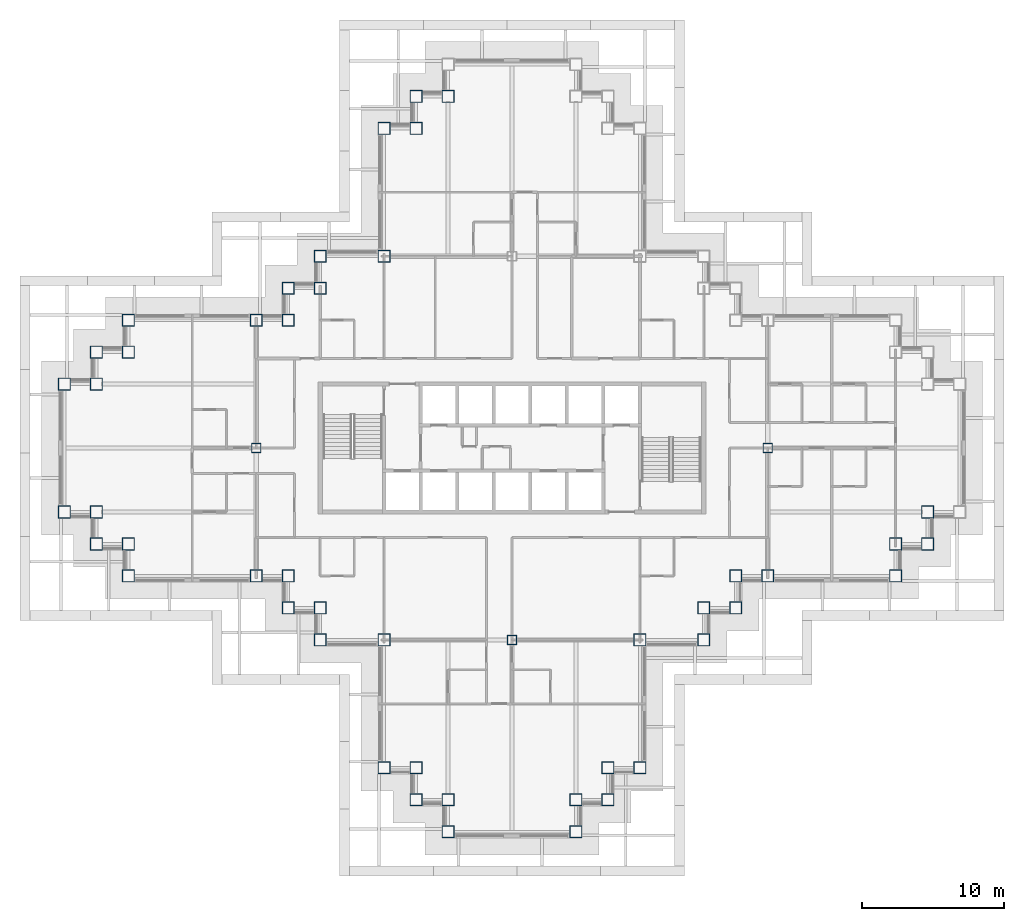
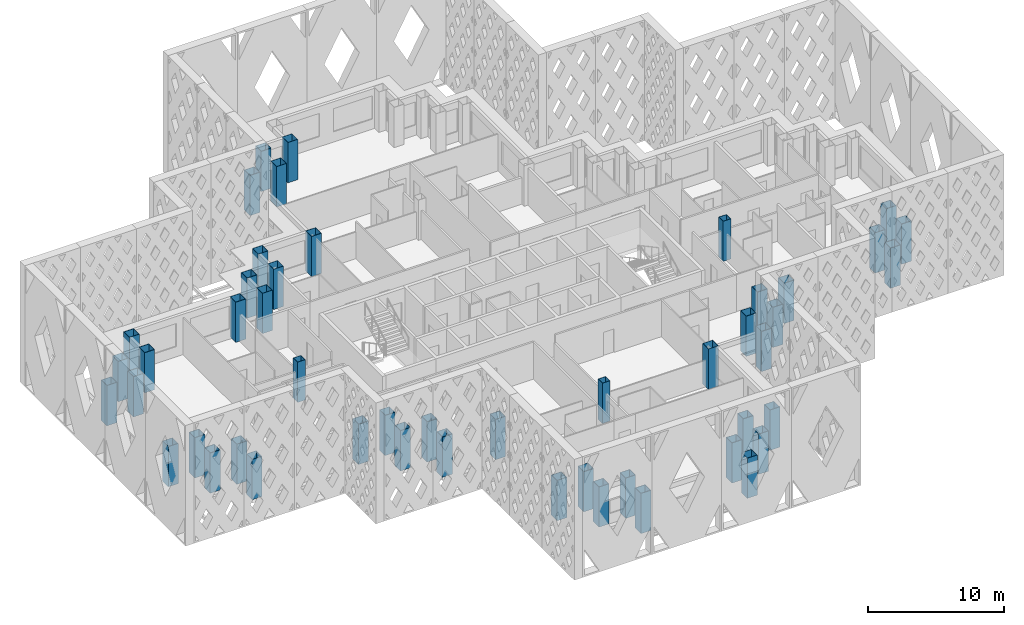
# One storey, part 1 of 21: 49 columns.
"""IFC4 building model written with IfcOpenShell, lengths in metres."""

from ifc_helpers import new_model, si_unit, direction, frame, origin, origin_2d, place, context, subcontext, project, spatial, hollow_rectangle, extrude, material, material_profile, profile_set, type_object, element, save


model = new_model("IFC4")

# Units and contexts
model_context = context("Model", 3, precision=1e-05, world=origin(), true_north=direction((0.0, 1.0)))
body_context = subcontext(model_context, "Body", "Model", "MODEL_VIEW")
ifc_project = project(units=[si_unit("LENGTHUNIT", "METRE"), si_unit("AREAUNIT", "SQUARE_METRE"), si_unit("VOLUMEUNIT", "CUBIC_METRE"), si_unit("PLANEANGLEUNIT", "RADIAN"), si_unit("MASSUNIT", "GRAM", prefix="KILO")], contexts=[model_context])

# Site, building, storey
site_placement = place(None, origin())
site = spatial("IfcSite", under=ifc_project, at=site_placement, CompositionType="ELEMENT")
building_placement = place(site_placement, origin())
building = spatial("IfcBuilding", under=site, at=building_placement, Name="Caravel Reach Hotel and Residences", CompositionType="ELEMENT")
storey_placement = place(building_placement, frame((0.0, 0.0, 129.60009765625)))
storey = spatial("IfcBuildingStorey", under=building, at=storey_placement, Name="L32", CompositionType="ELEMENT", Elevation=129.60009765625)

# Columns
ifc_material_1 = material(Name="Concrete-filled steel tube Q390B with Concrete C70 infill", Category="concrete")
ifc_material_profile_1 = material_profile(ifc_material_1, hollow_rectangle(XDim=0.64990234375, YDim=0.64990234375, WallThickness=0.02099609375, at=origin_2d()), Name="RHS 650x650x21")
ifc_profile_set_1 = profile_set([ifc_material_profile_1], Name="Concrete-filled steel tube Q390B with Concrete C70 infill")
column_type_1 = type_object("IfcColumnType", Name="CFT 650x650 Q390B C70", PredefinedType="COLUMN", material=ifc_profile_set_1)
for number, where, z_axis, x_axis, name in (
    (1, (31.5, 13.5, 0.0), (0.0, 0.0, 1.0), (1.0, 0.0, 0.0), "C17 column"),
    (2, (13.5, 27.0, 0.0), (0.0, 0.0, 1.0), (1.0, 0.0, 0.0), "C17 column"),
    (3, (49.5, 27.0, 0.0), (0.0, 0.0, 1.0), (1.0, 0.0, 0.0), "C17 column"),
):
    element("IfcColumn", number, at=place(storey_placement, frame(where, z_axis=z_axis, x_axis=x_axis)), inside=storey, type_object=column_type_1, Name=name, PredefinedType="COLUMN", context=body_context, shape_type="SweptSolid", body=[
        extrude(hollow_rectangle(XDim=0.64990234375, YDim=0.64990234375, WallThickness=0.02099609375, at=origin_2d()), origin(), (0.0, 0.0, 1.0), 3.599853515625),
    ])
ifc_material_2 = material(Name="Concrete-filled steel tube Q390B with Concrete C70 infill", Category="concrete")
ifc_material_profile_2 = material_profile(ifc_material_2, hollow_rectangle(XDim=0.85009765625, YDim=0.85009765625, WallThickness=0.02587890625, at=origin_2d()), Name="RHS 850x850x26")
ifc_profile_set_2 = profile_set([ifc_material_profile_2], Name="Concrete-filled steel tube Q390B with Concrete C70 infill")
column_type_2 = type_object("IfcColumnType", Name="CFT 850x850 Q390B C70", PredefinedType="COLUMN", material=ifc_profile_set_2)
for number, where, z_axis, x_axis, name in (
    (4, (22.5, 4.5, 0.0), (0.0, 0.0, 1.0), (1.0, 0.0, 0.0), "C13 column"),
    (5, (24.75, 4.5, 0.0), (0.0, 0.0, 1.0), (1.0, 0.0, 0.0), "C13 column"),
    (6, (24.75, 2.25, 0.0), (0.0, 0.0, 1.0), (1.0, 0.0, 0.0), "C13 column"),
    (7, (27.0, 2.25, 0.0), (0.0, 0.0, 1.0), (1.0, 0.0, 0.0), "C13 column"),
    (8, (27.0, 0.0, 0.0), (0.0, 0.0, 1.0), (1.0, 0.0, 0.0), "C13 column"),
    (9, (36.0, 0.0, 0.0), (0.0, 0.0, 1.0), (1.0, 0.0, 0.0), "C13 column"),
    (10, (36.0, 2.25, 0.0), (0.0, 0.0, 1.0), (1.0, 0.0, 0.0), "C13 column"),
    (11, (38.25, 2.25, 0.0), (0.0, 0.0, 1.0), (1.0, 0.0, 0.0), "C13 column"),
    (12, (38.25, 4.5, 0.0), (0.0, 0.0, 1.0), (1.0, 0.0, 0.0), "C13 column"),
    (13, (40.5, 4.5, 0.0), (0.0, 0.0, 1.0), (1.0, 0.0, 0.0), "C13 column"),
    (14, (40.5, 13.5, 0.0), (0.0, 0.0, 1.0), (1.0, 0.0, 0.0), "C13 column"),
    (15, (45.0, 13.5, 0.0), (0.0, 0.0, 1.0), (1.0, 0.0, 0.0), "C13 column"),
    (16, (45.0, 15.75, 0.0), (0.0, 0.0, 1.0), (1.0, 0.0, 0.0), "C13 column"),
    (17, (47.25, 15.75, 0.0), (0.0, 0.0, 1.0), (1.0, 0.0, 0.0), "C13 column"),
    (18, (47.25, 18.0, 0.0), (0.0, 0.0, 1.0), (1.0, 0.0, 0.0), "C13 column"),
    (19, (49.5, 18.0, 0.0), (0.0, 0.0, 1.0), (1.0, 0.0, 0.0), "C13 column"),
    (20, (58.5, 18.0, 0.0), (0.0, 0.0, 1.0), (1.0, 0.0, 0.0), "C13 column"),
    (21, (58.5, 20.25, 0.0), (0.0, 0.0, 1.0), (1.0, 0.0, 0.0), "C13 column"),
    (22, (60.75, 20.25, 0.0), (0.0, 0.0, 1.0), (1.0, 0.0, 0.0), "C13 column"),
    (23, (60.75, 22.5, 0.0), (0.0, 0.0, 1.0), (1.0, 0.0, 0.0), "C13 column"),
    (24, (27.0, 51.75, 0.0), (0.0, 0.0, 1.0), (1.0, 0.0, 0.0), "C13 column"),
    (25, (24.75, 51.75, 0.0), (0.0, 0.0, 1.0), (1.0, 0.0, 0.0), "C13 column"),
    (26, (24.75, 49.5, 0.0), (0.0, 0.0, 1.0), (1.0, 0.0, 0.0), "C13 column"),
    (27, (22.5, 49.5, 0.0), (0.0, 0.0, 1.0), (1.0, 0.0, 0.0), "C13 column"),
    (28, (22.5, 40.5, 0.0), (0.0, 0.0, 1.0), (1.0, 0.0, 0.0), "C13 column"),
    (29, (18.0, 40.5, 0.0), (0.0, 0.0, 1.0), (1.0, 0.0, 0.0), "C13 column"),
    (30, (18.0, 38.25, 0.0), (0.0, 0.0, 1.0), (1.0, 0.0, 0.0), "C13 column"),
    (31, (15.75, 38.25, 0.0), (0.0, 0.0, 1.0), (1.0, 0.0, 0.0), "C13 column"),
    (32, (15.75, 36.0, 0.0), (0.0, 0.0, 1.0), (1.0, 0.0, 0.0), "C13 column"),
    (33, (13.5, 36.0, 0.0), (0.0, 0.0, 1.0), (1.0, 0.0, 0.0), "C13 column"),
    (34, (4.5, 36.0, 0.0), (0.0, 0.0, 1.0), (1.0, 0.0, 0.0), "C13 column"),
    (35, (4.5, 33.75, 0.0), (0.0, 0.0, 1.0), (1.0, 0.0, 0.0), "C13 column"),
    (36, (2.25, 33.75, 0.0), (0.0, 0.0, 1.0), (1.0, 0.0, 0.0), "C13 column"),
    (37, (2.25, 31.5, 0.0), (0.0, 0.0, 1.0), (1.0, 0.0, 0.0), "C13 column"),
    (38, (0.0, 31.5, 0.0), (0.0, 0.0, 1.0), (1.0, 0.0, 0.0), "C13 column"),
    (39, (0.0, 22.5, 0.0), (0.0, 0.0, 1.0), (1.0, 0.0, 0.0), "C13 column"),
    (40, (2.25, 22.5, 0.0), (0.0, 0.0, 1.0), (1.0, 0.0, 0.0), "C13 column"),
    (41, (2.25, 20.25, 0.0), (0.0, 0.0, 1.0), (1.0, 0.0, 0.0), "C13 column"),
    (42, (4.5, 20.25, 0.0), (0.0, 0.0, 1.0), (1.0, 0.0, 0.0), "C13 column"),
    (43, (4.5, 18.0, 0.0), (0.0, 0.0, 1.0), (1.0, 0.0, 0.0), "C13 column"),
    (44, (13.5, 18.0, 0.0), (0.0, 0.0, 1.0), (1.0, 0.0, 0.0), "C13 column"),
    (45, (15.75, 18.0, 0.0), (0.0, 0.0, 1.0), (1.0, 0.0, 0.0), "C13 column"),
    (46, (15.75, 15.75, 0.0), (0.0, 0.0, 1.0), (1.0, 0.0, 0.0), "C13 column"),
    (47, (18.0, 15.75, 0.0), (0.0, 0.0, 1.0), (1.0, 0.0, 0.0), "C13 column"),
    (48, (18.0, 13.5, 0.0), (0.0, 0.0, 1.0), (1.0, 0.0, 0.0), "C13 column"),
    (49, (22.5, 13.5, 0.0), (0.0, 0.0, 1.0), (1.0, 0.0, 0.0), "C13 column"),
):
    element("IfcColumn", number, at=place(storey_placement, frame(where, z_axis=z_axis, x_axis=x_axis)), inside=storey, type_object=column_type_2, Name=name, PredefinedType="COLUMN", context=body_context, shape_type="SweptSolid", body=[
        extrude(hollow_rectangle(XDim=0.85009765625, YDim=0.85009765625, WallThickness=0.02587890625, at=origin_2d()), origin(), (0.0, 0.0, 1.0), 3.599853515625),
    ])

save(model, "model.ifc")
